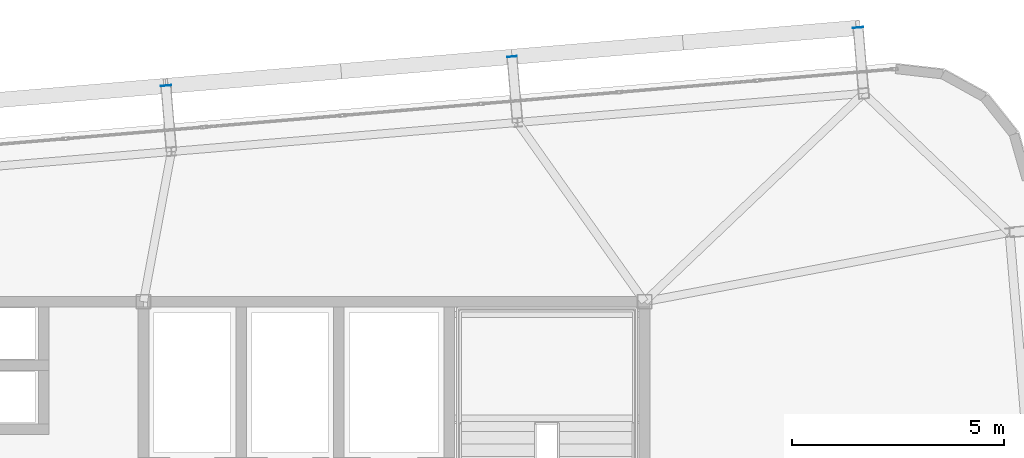
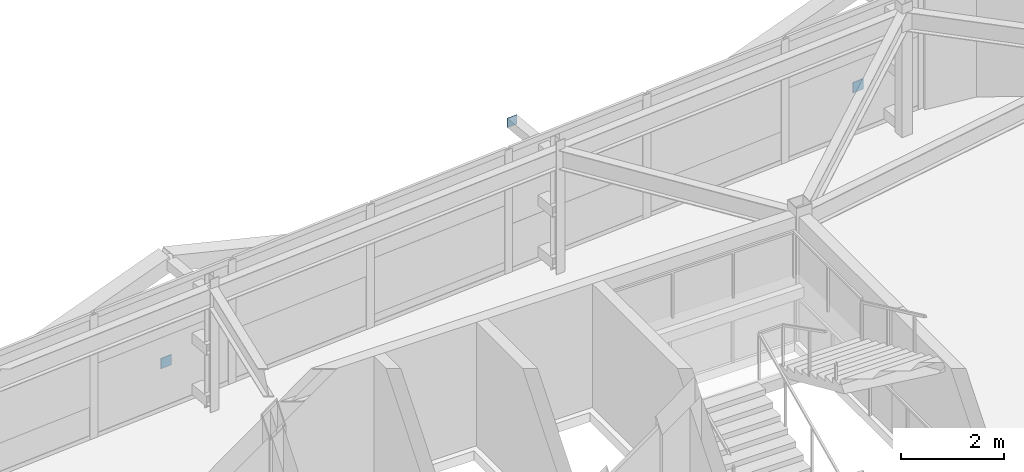
# One storey, part 40 of 46: 3 plates.
"""IFC4 building model written with IfcOpenShell, lengths in metres."""

from ifc_helpers import new_model, si_unit, direction, frame, origin, origin_2d, place, context, subcontext, project, spatial, rectangle, extrude, source, transform, mapped, material, layer, layer_set, type_object, element, save


model = new_model("IFC4")

# Units and contexts
model_context = context("Model", 3, precision=1e-05, world=origin(), true_north=direction((0.0, 1.0)))
body_context = subcontext(model_context, "Body", "Model", "MODEL_VIEW")
ifc_project = project(units=[si_unit("LENGTHUNIT", "METRE"), si_unit("AREAUNIT", "SQUARE_METRE"), si_unit("VOLUMEUNIT", "CUBIC_METRE"), si_unit("PLANEANGLEUNIT", "RADIAN"), si_unit("MASSUNIT", "GRAM", prefix="KILO")], contexts=[model_context])

# Site, building, storey
site_placement = place(None, origin())
site = spatial("IfcSite", under=ifc_project, at=site_placement, CompositionType="ELEMENT")
building_placement = place(site_placement, origin())
building = spatial("IfcBuilding", under=site, at=building_placement, Name="Taldren Reach Tower", CompositionType="ELEMENT")
storey_placement = place(building_placement, frame((0.0, 0.0, 185.14990234375)))
storey = spatial("IfcBuildingStorey", under=building, at=storey_placement, Name="L56", CompositionType="ELEMENT", Elevation=185.14990234375)

# Plates
ifc_material_1 = material(Name="Steel Gr 350 (C350L0)", Category="steel")
ifc_layer_1 = layer(ifc_material_1, 0.011962890625)
ifc_layer_set_1 = layer_set([ifc_layer_1], Name="Steel Gr 350 (C350L0)")
plate_type_1 = type_object("IfcPlateType", Name="PL-CAP-250", PredefinedType="SHEET", material=ifc_layer_set_1)
shared_shape_1 = source(origin(), body_context, "Body", "SweptSolid", [
    extrude(rectangle(XDim=0.25, YDim=0.011962890625, at=origin_2d()), origin(), (0.0, 0.0, 1.0), 0.25),
])
for number, where, z_axis, x_axis, name in (
    (1, (39.7275390625, 37.087646484375, 0.09521484375), (0.0, 0.0, 1.0), (0.99649285925, 0.083677843332, 0.0), "Tie strut end cap plate B4-N4 L56"),
    (2, (56.030029296875, 38.45654296875, 0.09521484375), (0.0, 0.0, 1.0), (0.99649285925, 0.083677843332, 0.0), "Tie strut end cap plate B4-N6 L56"),
):
    element("IfcPlate", number, at=place(storey_placement, frame(where, z_axis=z_axis, x_axis=x_axis)), inside=storey, type_object=plate_type_1, Name=name, PredefinedType="SHEET", context=body_context, shape_type="MappedRepresentation", body=[
        mapped(shared_shape_1, transform((0.0, 0.0, 0.0), scale=1.0)),
    ])
ifc_material_2 = material(Name="Steel Gr 450 (C450L0)", Category="steel")
ifc_layer_2 = layer(ifc_material_2, 0.011962890625)
ifc_layer_set_2 = layer_set([ifc_layer_2], Name="Steel Gr 450 (C450L0)")
plate_type_2 = type_object("IfcPlateType", Name="PL-CAP-220", PredefinedType="SHEET", material=ifc_layer_set_2)
shared_shape_2 = source(origin(), body_context, "Body", "SweptSolid", [
    extrude(rectangle(XDim=0.219970703125, YDim=0.011962890625, at=origin_2d()), origin(), (0.0, 0.0, 1.0), 0.219970703125),
])
plate_placement = place(storey_placement, frame((47.87890625, 37.77197265625, 2.5400390625), z_axis=(0.0, 0.0, 1.0), x_axis=(0.99649285925, 0.083677843332, 0.0)))
element("IfcPlate", 3, at=plate_placement, inside=storey, type_object=plate_type_2, Name="Tie strut end cap plate B4-N5 L56", PredefinedType="SHEET", context=body_context, shape_type="MappedRepresentation", body=[
    mapped(shared_shape_2, transform((0.0, 0.0, 0.0), scale=1.0)),
])

save(model, "model.ifc")
